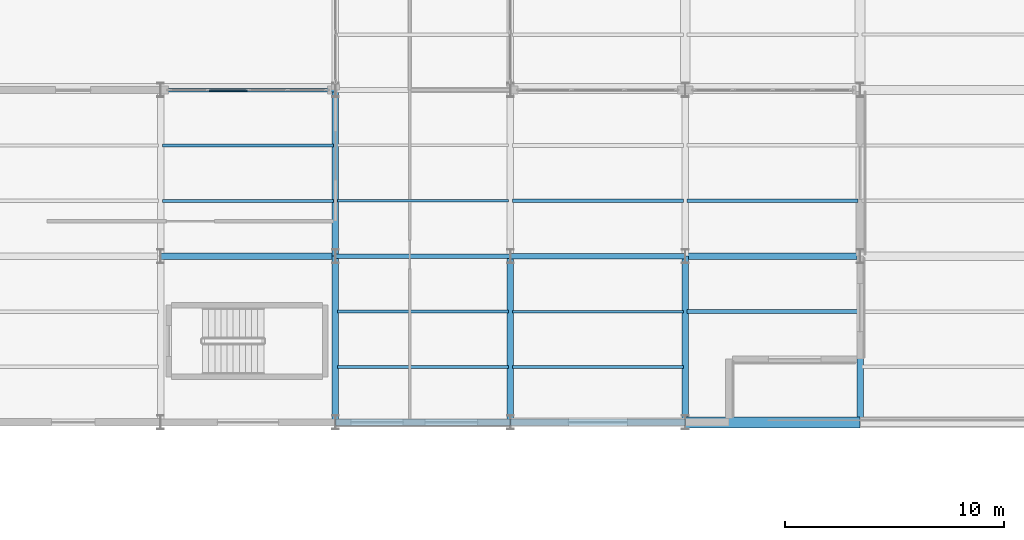
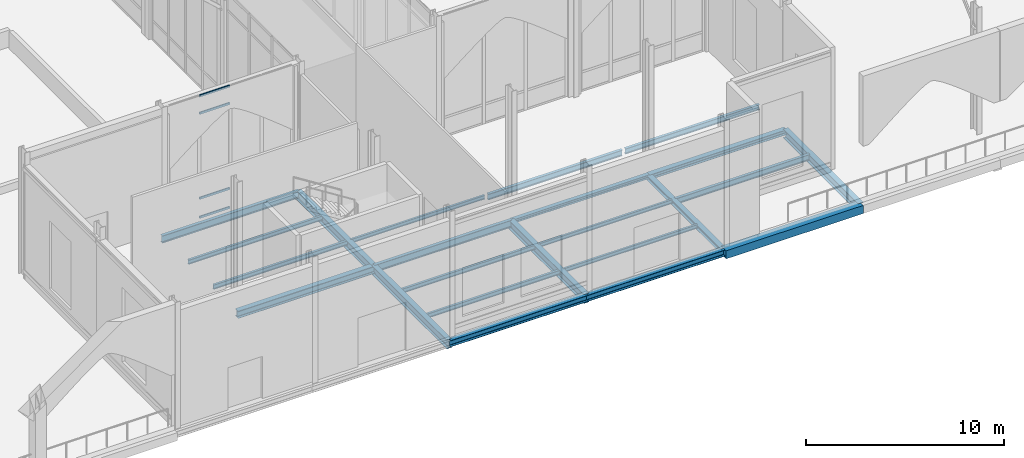
# One storey, part 31 of 176: 23 beams, 4 members, 1 element without a shape of its own.
"""IFC4 building model written with IfcOpenShell, lengths in metres."""

from ifc_helpers import new_model, si_unit, direction, frame, origin, origin_2d, place, context, subcontext, project, spatial, rectangle, hollow_rectangle, i_section, extrude, material, layer, layer_set, material_profile, profile_set, type_object, element, aggregate, save


model = new_model("IFC4")

# Units and contexts
model_context = context("Model", 3, precision=1e-05, world=origin(), true_north=direction((0.0, 1.0)))
body_context = subcontext(model_context, "Body", "Model", "MODEL_VIEW")
ifc_project = project(units=[si_unit("LENGTHUNIT", "METRE"), si_unit("AREAUNIT", "SQUARE_METRE"), si_unit("VOLUMEUNIT", "CUBIC_METRE"), si_unit("PLANEANGLEUNIT", "RADIAN"), si_unit("MASSUNIT", "GRAM", prefix="KILO")], contexts=[model_context])

# Site, building, storey
site_placement = place(None, origin())
site = spatial("IfcSite", under=ifc_project, at=site_placement, CompositionType="ELEMENT")
building_placement = place(site_placement, origin())
building = spatial("IfcBuilding", under=site, at=building_placement, Name="Vekula Escarpment Museum", CompositionType="ELEMENT")
storey_placement = place(building_placement, origin())
storey = spatial("IfcBuildingStorey", under=building, at=storey_placement, Name="L01", CompositionType="ELEMENT", Elevation=0.0)

# Beams
ifc_material_1 = material(Name="Steel S355", Category="steel")
ifc_material_profile_1 = material_profile(ifc_material_1, i_section(OverallWidth=0.300048828125, OverallDepth=0.300048828125, WebThickness=0.010986328125, FlangeThickness=0.01904296875, FilletRadius=0.027099609375, at=origin_2d()), Name="HEB 300")
ifc_profile_set_1 = profile_set([ifc_material_profile_1], Name="Steel S355")
beam_type_1 = type_object("IfcBeamType", Name="BM-GIRD-HEB300", PredefinedType="BEAM", material=ifc_profile_set_1)
beam_1_placement = place(storey_placement, frame((110.0, 7.60009765625, -0.449951171875), z_axis=(1.0, 0.0, 0.0), x_axis=(0.0, 1.0, 0.0)))
element("IfcBeam", 1, at=beam_1_placement, inside=storey, type_object=beam_type_1, Name="Beam X L01 0041", PredefinedType="BEAM", context=body_context, shape_type="SweptSolid", body=[
    extrude(i_section(OverallWidth=0.300048828125, OverallDepth=0.300048828125, WebThickness=0.010986328125, FlangeThickness=0.01904296875, FilletRadius=0.027099609375, at=origin_2d()), origin(), (0.0, 0.0, 1.0), 8.0),
])
ifc_material_2 = material(Name="Steel S355", Category="steel")
ifc_material_profile_2 = material_profile(ifc_material_2, i_section(OverallWidth=0.300048828125, OverallDepth=0.449951171875, WebThickness=0.013916015625, FlangeThickness=0.02587890625, FilletRadius=0.027099609375, at=origin_2d()), Name="HEB 450")
ifc_profile_set_2 = profile_set([ifc_material_profile_2], Name="Steel S355")
beam_type_2 = type_object("IfcBeamType", Name="BM-GIRD-HEB450", PredefinedType="BEAM", material=ifc_profile_set_2)
beam_2_placement = place(storey_placement, frame((86.0, 7.60009765625, -0.52490234375), z_axis=(1.0, 0.0, 0.0), x_axis=(0.0, 1.0, 0.0)))
element("IfcBeam", 2, at=beam_2_placement, inside=storey, type_object=beam_type_2, Name="Beam X L01 0038", PredefinedType="BEAM", context=body_context, shape_type="SweptSolid", body=[
    extrude(i_section(OverallWidth=0.300048828125, OverallDepth=0.449951171875, WebThickness=0.013916015625, FlangeThickness=0.02587890625, FilletRadius=0.027099609375, at=origin_2d()), origin(), (0.0, 0.0, 1.0), 8.0),
])
ifc_material_3 = material(Name="Steel S355", Category="steel")
ifc_material_profile_3 = material_profile(ifc_material_3, i_section(OverallWidth=0.300048828125, OverallDepth=0.550048828125, WebThickness=0.014892578125, FlangeThickness=0.029052734375, FilletRadius=0.027099609375, at=origin_2d()), Name="HEB 550")
ifc_profile_set_3 = profile_set([ifc_material_profile_3], Name="Steel S355")
beam_type_3 = type_object("IfcBeamType", Name="BM-GIRD-HEB550", PredefinedType="BEAM", material=ifc_profile_set_3)
beam_3_placement = place(storey_placement, frame((94.0, 0.0, -0.574951171875), z_axis=(0.0, 1.0, 0.0), x_axis=(-1.0, 0.0, 0.0)))
element("IfcBeam", 3, at=beam_3_placement, inside=storey, type_object=beam_type_3, Name="Beam Y L01 0576", PredefinedType="BEAM", context=body_context, shape_type="SweptSolid", body=[
    extrude(i_section(OverallWidth=0.300048828125, OverallDepth=0.550048828125, WebThickness=0.014892578125, FlangeThickness=0.029052734375, FilletRadius=0.027099609375, at=origin_2d()), origin(), (0.0, 0.0, 1.0), 7.60009765625),
])
beam_4_placement = place(storey_placement, frame((94.0, 7.60009765625, -0.574951171875), z_axis=(0.0, 1.0, 0.0), x_axis=(-1.0, 0.0, 0.0)))
element("IfcBeam", 4, at=beam_4_placement, inside=storey, type_object=beam_type_3, Name="Beam Y L01 0577", PredefinedType="BEAM", context=body_context, shape_type="SweptSolid", body=[
    extrude(i_section(OverallWidth=0.300048828125, OverallDepth=0.550048828125, WebThickness=0.014892578125, FlangeThickness=0.029052734375, FilletRadius=0.027099609375, at=origin_2d()), origin(), (0.0, 0.0, 1.0), 7.599853515625),
])
for number, where, z_axis, x_axis, name in (
    (5, (102.0, 0.0, -0.574951171875), (0.0, 1.0, 0.0), (-1.0, 0.0, 0.0), "Beam Y L01 0594"),
    (6, (118.0, 0.0, -0.574951171875), (0.0, 1.0, 0.0), (-1.0, 0.0, 0.0), "Beam Y L01 0630"),
):
    element("IfcBeam", number, at=place(storey_placement, frame(where, z_axis=z_axis, x_axis=x_axis)), inside=storey, type_object=beam_type_3, Name=name, PredefinedType="BEAM", context=body_context, shape_type="SweptSolid", body=[
        extrude(i_section(OverallWidth=0.300048828125, OverallDepth=0.550048828125, WebThickness=0.014892578125, FlangeThickness=0.029052734375, FilletRadius=0.027099609375, at=origin_2d()), origin(), (0.0, 0.0, 1.0), 7.60009765625),
    ])
ifc_material_4 = material(Name="Steel S355", Category="steel")
ifc_material_profile_4 = material_profile(ifc_material_4, i_section(OverallWidth=0.18994140625, OverallDepth=0.449951171875, WebThickness=0.009521484375, FlangeThickness=0.0146484375, FilletRadius=0.02099609375, at=origin_2d()), Name="IPE 450")
ifc_profile_set_4 = profile_set([ifc_material_profile_4], Name="Steel S355")
beam_type_4 = type_object("IfcBeamType", Name="BM-GIRD-IPE450", PredefinedType="BEAM", material=ifc_profile_set_4)
for number, where, z_axis, x_axis, name in (
    (7, (94.0, 7.60009765625, -0.52490234375), (1.0, 0.0, 0.0), (0.0, 1.0, 0.0), "Beam X L01 0039"),
    (8, (86.0, 15.199951171875, -0.52490234375), (1.0, 0.0, 0.0), (0.0, 1.0, 0.0), "Beam X L01 0057"),
):
    element("IfcBeam", number, at=place(storey_placement, frame(where, z_axis=z_axis, x_axis=x_axis)), inside=storey, type_object=beam_type_4, Name=name, PredefinedType="BEAM", context=body_context, shape_type="SweptSolid", body=[
        extrude(i_section(OverallWidth=0.18994140625, OverallDepth=0.449951171875, WebThickness=0.009521484375, FlangeThickness=0.0146484375, FilletRadius=0.02099609375, at=origin_2d()), origin(), (0.0, 0.0, 1.0), 8.0),
    ])
ifc_material_5 = material(Name="Steel S355", Category="steel")
ifc_material_profile_5 = material_profile(ifc_material_5, i_section(OverallWidth=0.1201171875, OverallDepth=0.239990234375, WebThickness=0.006103515625, FlangeThickness=0.009765625, FilletRadius=0.014892578125, at=origin_2d()), Name="IPE 240")
ifc_profile_set_5 = profile_set([ifc_material_profile_5], Name="Steel S355")
beam_type_5 = type_object("IfcBeamType", Name="BM-JST-IPE240", PredefinedType="JOIST", material=ifc_profile_set_5)
for number, where, z_axis, x_axis, name in (
    (9, (94.090087890625, 10.13330078125, -0.419921875), (1.0, 0.0, 0.0), (0.0, 1.0, 0.0), "Secondary Joist L01 0290"),
    (10, (102.090087890625, 2.533203125, -0.419921875), (1.0, 0.0, 0.0), (0.0, 1.0, 0.0), "Secondary Joist L01 0320"),
    (11, (102.090087890625, 5.066650390625, -0.419921875), (1.0, 0.0, 0.0), (0.0, 1.0, 0.0), "Secondary Joist L01 0321"),
):
    element("IfcBeam", number, at=place(storey_placement, frame(where, z_axis=z_axis, x_axis=x_axis)), inside=storey, type_object=beam_type_5, Name=name, PredefinedType="JOIST", context=body_context, shape_type="SweptSolid", body=[
        extrude(i_section(OverallWidth=0.1201171875, OverallDepth=0.239990234375, WebThickness=0.006103515625, FlangeThickness=0.009765625, FilletRadius=0.014892578125, at=origin_2d()), origin(), (0.0, 0.0, 1.0), 7.81982421875),
    ])
ifc_material_6 = material(Name="Steel S355", Category="steel")
ifc_material_profile_6 = material_profile(ifc_material_6, i_section(OverallWidth=0.135009765625, OverallDepth=0.27001953125, WebThickness=0.006591796875, FlangeThickness=0.01025390625, FilletRadius=0.014892578125, at=origin_2d()), Name="IPE 270")
ifc_profile_set_6 = profile_set([ifc_material_profile_6], Name="Steel S355")
beam_type_6 = type_object("IfcBeamType", Name="BM-JST-IPE270", PredefinedType="JOIST", material=ifc_profile_set_6)
for number, where, z_axis, x_axis, name in (
    (12, (86.090087890625, 10.13330078125, -0.43505859375), (1.0, 0.0, 0.0), (0.0, 1.0, 0.0), "Secondary Joist L01 0271"),
    (13, (86.090087890625, 12.666748046875, -0.43505859375), (1.0, 0.0, 0.0), (0.0, 1.0, 0.0), "Secondary Joist L01 0272"),
    (14, (94.090087890625, 2.533203125, -0.43505859375), (1.0, 0.0, 0.0), (0.0, 1.0, 0.0), "Secondary Joist L01 0288"),
    (15, (94.090087890625, 5.066650390625, -0.43505859375), (1.0, 0.0, 0.0), (0.0, 1.0, 0.0), "Secondary Joist L01 0289"),
):
    element("IfcBeam", number, at=place(storey_placement, frame(where, z_axis=z_axis, x_axis=x_axis)), inside=storey, type_object=beam_type_6, Name=name, PredefinedType="JOIST", context=body_context, shape_type="SweptSolid", body=[
        extrude(i_section(OverallWidth=0.135009765625, OverallDepth=0.27001953125, WebThickness=0.006591796875, FlangeThickness=0.01025390625, FilletRadius=0.014892578125, at=origin_2d()), origin(), (0.0, 0.0, 1.0), 7.81982421875),
    ])
ifc_material_7 = material(Name="Steel S355", Category="steel")
ifc_material_profile_7 = material_profile(ifc_material_7, i_section(OverallWidth=0.159912109375, OverallDepth=0.330078125, WebThickness=0.007568359375, FlangeThickness=0.011474609375, FilletRadius=0.01806640625, at=origin_2d()), Name="IPE 330")
ifc_profile_set_7 = profile_set([ifc_material_profile_7], Name="Steel S355")
beam_type_7 = type_object("IfcBeamType", Name="BM-JST-IPE330", PredefinedType="JOIST", material=ifc_profile_set_7)
beam_5_placement = place(storey_placement, frame((110.090087890625, 10.13330078125, -0.465087890625), z_axis=(1.0, 0.0, 0.0), x_axis=(0.0, 1.0, 0.0)))
element("IfcBeam", 16, at=beam_5_placement, inside=storey, type_object=beam_type_7, Name="Secondary Joist L01 0353", PredefinedType="JOIST", context=body_context, shape_type="SweptSolid", body=[
    extrude(i_section(OverallWidth=0.159912109375, OverallDepth=0.330078125, WebThickness=0.007568359375, FlangeThickness=0.011474609375, FilletRadius=0.01806640625, at=origin_2d()), origin(), (0.0, 0.0, 1.0), 7.81982421875),
])
ifc_material_8 = material(Name="Steel S355", Category="steel")
ifc_material_profile_8 = material_profile(ifc_material_8, i_section(OverallWidth=0.169921875, OverallDepth=0.360107421875, WebThickness=0.008056640625, FlangeThickness=0.0126953125, FilletRadius=0.01806640625, at=origin_2d()), Name="IPE 360")
ifc_profile_set_8 = profile_set([ifc_material_profile_8], Name="Steel S355")
beam_type_8 = type_object("IfcBeamType", Name="BM-JST-IPE360", PredefinedType="JOIST", material=ifc_profile_set_8)
for number, where, z_axis, x_axis, name in (
    (17, (102.090087890625, 10.13330078125, -0.47998046875), (1.0, 0.0, 0.0), (0.0, 1.0, 0.0), "Secondary Joist L01 0322"),
    (18, (110.090087890625, 5.066650390625, -0.47998046875), (1.0, 0.0, 0.0), (0.0, 1.0, 0.0), "Secondary Joist L01 0352"),
):
    element("IfcBeam", number, at=place(storey_placement, frame(where, z_axis=z_axis, x_axis=x_axis)), inside=storey, type_object=beam_type_8, Name=name, PredefinedType="JOIST", context=body_context, shape_type="SweptSolid", body=[
        extrude(i_section(OverallWidth=0.169921875, OverallDepth=0.360107421875, WebThickness=0.008056640625, FlangeThickness=0.0126953125, FilletRadius=0.01806640625, at=origin_2d()), origin(), (0.0, 0.0, 1.0), 7.81982421875),
    ])
ifc_material_9 = material(Name="Concrete C35/45", Category="concrete")
ifc_material_profile_9 = material_profile(ifc_material_9, rectangle(XDim=0.5, YDim=0.5, at=origin_2d()), Name="RC 500x500")
ifc_profile_set_9 = profile_set([ifc_material_profile_9], Name="Concrete C35/45")
beam_type_9 = type_object("IfcBeamType", Name="BM-PLINTH-RC3", PredefinedType="BEAM", material=ifc_profile_set_9)
beam_6_placement = place(storey_placement, frame((110.0, 0.0, -0.550048828125), z_axis=(1.0, 0.0, 0.0), x_axis=(0.0, 1.0, 0.0)))
element("IfcBeam", 19, at=beam_6_placement, inside=storey, type_object=beam_type_9, Name="Beam X L01 0022", PredefinedType="BEAM", context=body_context, shape_type="SweptSolid", body=[
    extrude(rectangle(XDim=0.5, YDim=0.5, at=origin_2d()), origin(), (0.0, 0.0, 1.0), 8.0),
])
ifc_material_10 = material(Name="Steel S355", Category="steel")
ifc_material_profile_10 = material_profile(ifc_material_10, i_section(OverallWidth=0.239990234375, OverallDepth=0.22998046875, WebThickness=0.007568359375, FlangeThickness=0.011962890625, FilletRadius=0.02099609375, at=origin_2d()), Name="HEA 240")
ifc_profile_set_10 = profile_set([ifc_material_profile_10], Name="Steel S355")
beam_type_10 = type_object("IfcBeamType", Name="BM-SPAN-HEA240", PredefinedType="SPANDREL", material=ifc_profile_set_10)
beam_7_placement = place(storey_placement, frame((102.0, 7.60009765625, -0.4150390625), z_axis=(1.0, 0.0, 0.0), x_axis=(0.0, 1.0, 0.0)))
element("IfcBeam", 20, at=beam_7_placement, inside=storey, type_object=beam_type_10, Name="Beam X L01 0040", PredefinedType="SPANDREL", context=body_context, shape_type="SweptSolid", body=[
    extrude(i_section(OverallWidth=0.239990234375, OverallDepth=0.22998046875, WebThickness=0.007568359375, FlangeThickness=0.011962890625, FilletRadius=0.02099609375, at=origin_2d()), origin(), (0.0, 0.0, 1.0), 8.0),
])
ifc_material_11 = material(Name="Steel S355", Category="steel")
ifc_material_profile_11 = material_profile(ifc_material_11, i_section(OverallWidth=0.300048828125, OverallDepth=0.2900390625, WebThickness=0.008544921875, FlangeThickness=0.013916015625, FilletRadius=0.027099609375, at=origin_2d()), Name="HEA 300")
ifc_profile_set_11 = profile_set([ifc_material_profile_11], Name="Steel S355")
beam_type_11 = type_object("IfcBeamType", Name="BM-SPAN-HEA300", PredefinedType="SPANDREL", material=ifc_profile_set_11)
beam_8_placement = place(storey_placement, frame((110.0, 0.0, -0.445068359375), z_axis=(0.0, 1.0, 0.0), x_axis=(-1.0, 0.0, 0.0)))
element("IfcBeam", 21, at=beam_8_placement, inside=storey, type_object=beam_type_11, Name="Beam Y L01 0612", PredefinedType="SPANDREL", context=body_context, shape_type="SweptSolid", body=[
    extrude(i_section(OverallWidth=0.300048828125, OverallDepth=0.2900390625, WebThickness=0.008544921875, FlangeThickness=0.013916015625, FilletRadius=0.027099609375, at=origin_2d()), origin(), (0.0, 0.0, 1.0), 7.60009765625),
])
ifc_material_12 = material(Name="Steel S355", Category="steel")
ifc_material_profile_12 = material_profile(ifc_material_12, i_section(OverallWidth=0.300048828125, OverallDepth=0.389892578125, WebThickness=0.010986328125, FlangeThickness=0.01904296875, FilletRadius=0.027099609375, at=origin_2d()), Name="HEA 400")
ifc_profile_set_12 = profile_set([ifc_material_profile_12], Name="Steel S355")
beam_type_12 = type_object("IfcBeamType", Name="BM-SPAN-HEA400", PredefinedType="SPANDREL", material=ifc_profile_set_12)
for number, where, z_axis, x_axis, name in (
    (22, (94.0, 0.0, -0.4951171875), (1.0, 0.0, 0.0), (0.0, 1.0, 0.0), "Beam X L01 0020"),
    (23, (102.0, 0.0, -0.4951171875), (1.0, 0.0, 0.0), (0.0, 1.0, 0.0), "Beam X L01 0021"),
):
    element("IfcBeam", number, at=place(storey_placement, frame(where, z_axis=z_axis, x_axis=x_axis)), inside=storey, type_object=beam_type_12, Name=name, PredefinedType="SPANDREL", context=body_context, shape_type="SweptSolid", body=[
        extrude(i_section(OverallWidth=0.300048828125, OverallDepth=0.389892578125, WebThickness=0.010986328125, FlangeThickness=0.01904296875, FilletRadius=0.027099609375, at=origin_2d()), origin(), (0.0, 0.0, 1.0), 8.0),
    ])

# Curtain wall, members
ifc_material_13 = material(Name="Aluminium thermally broken framing", Category="aluminium")
ifc_layer = layer(ifc_material_13, 0.159912109375)
ifc_layer_set = layer_set([ifc_layer], Name="Aluminium thermally broken framing")
curtain_wall_type = type_object("IfcCurtainWallType", Name="CW-SYS-01", PredefinedType="NOTDEFINED", material=ifc_layer_set)
curtain_wall_placement = place(storey_placement, origin())
curtain_wall = element("IfcCurtainWall", 24, at=curtain_wall_placement, inside=storey, type_object=curtain_wall_type, Name="Curtain Wall CW-L01-051", PredefinedType="NOTDEFINED")
ifc_material_14 = material(Name="Aluminium anodized transom", Category="aluminium")
ifc_material_profile_13 = material_profile(ifc_material_14, hollow_rectangle(XDim=0.06494140625, YDim=0.139892578125, WallThickness=0.00390625, InnerFilletRadius=0.00390625, OuterFilletRadius=0.008056640625, at=origin_2d()), Name="ALU 140x65x4")
ifc_profile_set_13 = profile_set([ifc_material_profile_13], Name="Aluminium anodized transom")
member_type = type_object("IfcMemberType", Name="CW-TRN-140", PredefinedType="USERDEFINED", material=ifc_profile_set_13)
member_1_placement = place(storey_placement, frame((89.967529296875, 15.199951171875, 0.032470703125), z_axis=(-1.0, 0.0, 0.0), x_axis=(0.0, -1.0, 0.0)))
member_1 = element("IfcMember", 25, at=member_1_placement, type_object=member_type, Name="CW-01 transom 3.1", ObjectType="TRANSOM", PredefinedType="USERDEFINED", context=body_context, shape_type="SweptSolid", body=[
    extrude(hollow_rectangle(XDim=0.06494140625, YDim=0.139892578125, WallThickness=0.00390625, InnerFilletRadius=0.00390625, OuterFilletRadius=0.008056640625, at=origin_2d()), origin(), (0.0, 0.0, 1.0), 1.755126953125),
])
member_2_placement = place(storey_placement, frame((89.967529296875, 15.199951171875, 1.199951171875), z_axis=(-1.0, 0.0, 0.0), x_axis=(0.0, -1.0, 0.0)))
member_2 = element("IfcMember", 26, at=member_2_placement, type_object=member_type, Name="CW-01 transom 3.2", ObjectType="TRANSOM", PredefinedType="USERDEFINED", context=body_context, shape_type="SweptSolid", body=[
    extrude(hollow_rectangle(XDim=0.06494140625, YDim=0.139892578125, WallThickness=0.00390625, InnerFilletRadius=0.00390625, OuterFilletRadius=0.008056640625, at=origin_2d()), origin(), (0.0, 0.0, 1.0), 1.755126953125),
])
member_3_placement = place(storey_placement, frame((89.967529296875, 15.199951171875, 6.43994140625), z_axis=(-1.0, 0.0, 0.0), x_axis=(0.0, -1.0, 0.0)))
member_3 = element("IfcMember", 27, at=member_3_placement, type_object=member_type, Name="CW-01 transom 3.3", ObjectType="TRANSOM", PredefinedType="USERDEFINED", context=body_context, shape_type="SweptSolid", body=[
    extrude(hollow_rectangle(XDim=0.06494140625, YDim=0.139892578125, WallThickness=0.00390625, InnerFilletRadius=0.00390625, OuterFilletRadius=0.008056640625, at=origin_2d()), origin(), (0.0, 0.0, 1.0), 1.755126953125),
])
member_4_placement = place(storey_placement, frame((89.967529296875, 15.199951171875, 7.507568359375), z_axis=(-1.0, 0.0, 0.0), x_axis=(0.0, -1.0, 0.0)))
member_4 = element("IfcMember", 28, at=member_4_placement, type_object=member_type, Name="CW-01 transom 3.4", ObjectType="TRANSOM", PredefinedType="USERDEFINED", context=body_context, shape_type="SweptSolid", body=[
    extrude(hollow_rectangle(XDim=0.06494140625, YDim=0.139892578125, WallThickness=0.00390625, InnerFilletRadius=0.00390625, OuterFilletRadius=0.008056640625, at=origin_2d()), origin(), (0.0, 0.0, 1.0), 1.755126953125),
])
aggregate(curtain_wall, [member_1, member_2, member_3, member_4])

save(model, "model.ifc")
